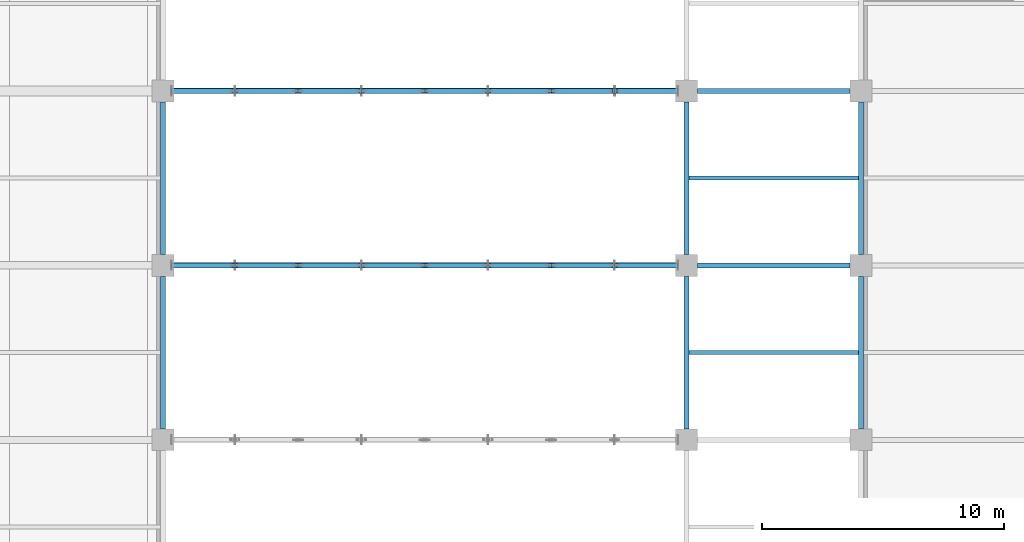
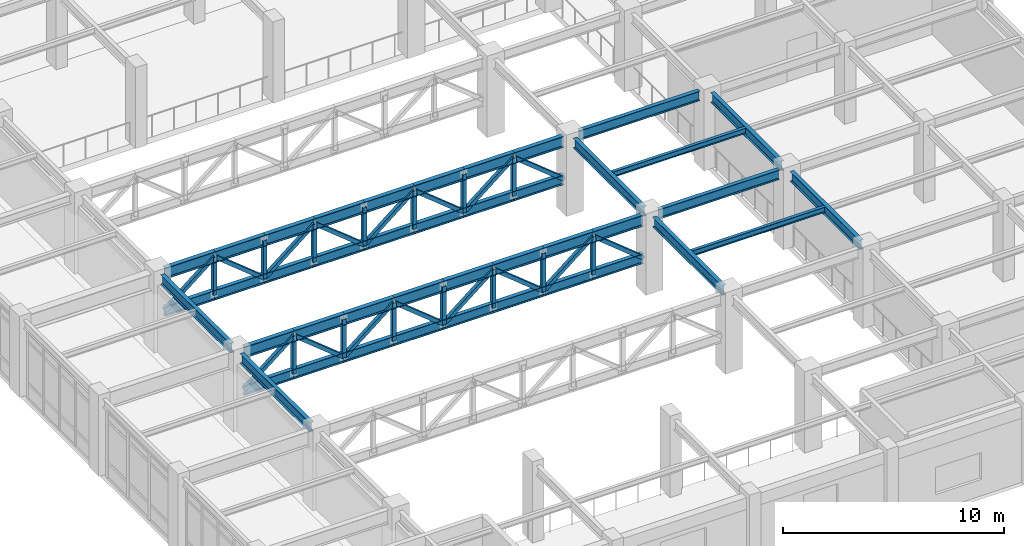
# One storey, part 48 of 106: 62 members, 10 beams.
"""IFC4 building model written with IfcOpenShell, lengths in metres."""

from ifc_helpers import new_model, si_unit, direction, frame, origin, origin_2d, place, context, subcontext, project, spatial, hollow_rectangle, i_section, extrude, material, material_profile, profile_set, type_object, element, save


model = new_model("IFC4")

# Units and contexts
model_context = context("Model", 3, precision=1e-05, world=origin(), true_north=direction((0.0, 1.0)))
body_context = subcontext(model_context, "Body", "Model", "MODEL_VIEW")
ifc_project = project(units=[si_unit("LENGTHUNIT", "METRE"), si_unit("AREAUNIT", "SQUARE_METRE"), si_unit("VOLUMEUNIT", "CUBIC_METRE"), si_unit("PLANEANGLEUNIT", "RADIAN"), si_unit("MASSUNIT", "GRAM", prefix="KILO")], contexts=[model_context])

# Site, building, storey
site_placement = place(None, origin())
site = spatial("IfcSite", under=ifc_project, at=site_placement, CompositionType="ELEMENT")
building_placement = place(site_placement, origin())
building = spatial("IfcBuilding", under=site, at=building_placement, Name="Carrowvane Square Congress Hotel", CompositionType="ELEMENT")
storey_placement = place(building_placement, frame((0.0, 0.0, 10.5)))
storey = spatial("IfcBuildingStorey", under=building, at=storey_placement, Name="L02", CompositionType="ELEMENT", Elevation=10.5)

# Beams
ifc_material_1 = material(Name="Steel S355", Category="steel")
ifc_material_profile_1 = material_profile(ifc_material_1, i_section(OverallWidth=0.165771484375, OverallDepth=0.306640625, WebThickness=0.006591796875, FlangeThickness=0.01171875, FilletRadius=0.0087890625, at=origin_2d()), Name="UKB 305x165x46")
ifc_profile_set_1 = profile_set([ifc_material_profile_1], Name="Steel S355")
beam_type_1 = type_object("IfcBeamType", Name="BM-ST-UKB305", PredefinedType="JOIST", material=ifc_profile_set_1)
for number, where, z_axis, x_axis, name in (
    (1, (162.905029296875, 23.39990234375, 4.066650390625), (1.0, 0.0, 0.0), (0.0, 1.0, 0.0), "L03 secondary joist 22-23"),
    (2, (162.905029296875, 30.60009765625, 4.066650390625), (1.0, 0.0, 0.0), (0.0, 1.0, 0.0), "L03 secondary joist 22-23"),
):
    element("IfcBeam", number, at=place(storey_placement, frame(where, z_axis=z_axis, x_axis=x_axis)), inside=storey, type_object=beam_type_1, Name=name, PredefinedType="JOIST", context=body_context, shape_type="SweptSolid", body=[
        extrude(i_section(OverallWidth=0.165771484375, OverallDepth=0.306640625, WebThickness=0.006591796875, FlangeThickness=0.01171875, FilletRadius=0.0087890625, at=origin_2d()), origin(), (0.0, 0.0, 1.0), 6.989990234375),
    ])
ifc_material_2 = material(Name="Steel S355", Category="steel")
ifc_material_profile_2 = material_profile(ifc_material_2, i_section(OverallWidth=0.2099609375, OverallDepth=0.53662109375, WebThickness=0.0107421875, FlangeThickness=0.017333984375, FilletRadius=0.0126953125, at=origin_2d()), Name="UKB 533x210x101")
ifc_profile_set_2 = profile_set([ifc_material_profile_2], Name="Steel S355")
beam_type_2 = type_object("IfcBeamType", Name="BM-ST-UKB533", PredefinedType="USERDEFINED", material=ifc_profile_set_2)
for number, where, z_axis, x_axis, name in (
    (3, (163.25, 27.0, 3.95166015625), (1.0, 0.0, 0.0), (0.0, 1.0, 0.0), "L03 girder D/22-23"),
    (4, (163.25, 34.199951171875, 3.95166015625), (1.0, 0.0, 0.0), (0.0, 1.0, 0.0), "L03 girder E/22-23"),
    (5, (141.199951171875, 20.25, 3.95166015625), (0.0, 1.0, 0.0), (-1.0, 0.0, 0.0), "L03 girder 19/C-D"),
    (6, (141.199951171875, 27.449951171875, 3.95166015625), (0.0, 1.0, 0.0), (-1.0, 0.0, 0.0), "L03 girder 19/D-E"),
    (7, (162.800048828125, 20.25, 3.95166015625), (0.0, 1.0, 0.0), (-1.0, 0.0, 0.0), "L03 girder 22/C-D"),
    (8, (162.800048828125, 27.449951171875, 3.95166015625), (0.0, 1.0, 0.0), (-1.0, 0.0, 0.0), "L03 girder 22/D-E"),
    (9, (170.0, 20.25, 3.95166015625), (0.0, 1.0, 0.0), (-1.0, 0.0, 0.0), "L03 girder 23/C-D"),
    (10, (170.0, 27.449951171875, 3.95166015625), (0.0, 1.0, 0.0), (-1.0, 0.0, 0.0), "L03 girder 23/D-E"),
):
    element("IfcBeam", number, at=place(storey_placement, frame(where, z_axis=z_axis, x_axis=x_axis)), inside=storey, type_object=beam_type_2, Name=name, ObjectType="GIRDER", PredefinedType="USERDEFINED", context=body_context, shape_type="SweptSolid", body=[
        extrude(i_section(OverallWidth=0.2099609375, OverallDepth=0.53662109375, WebThickness=0.0107421875, FlangeThickness=0.017333984375, FilletRadius=0.0126953125, at=origin_2d()), origin(), (0.0, 0.0, 1.0), 6.300048828125),
    ])

# Members
ifc_material_3 = material(Name="Steel S355", Category="steel")
ifc_material_profile_3 = material_profile(ifc_material_3, hollow_rectangle(XDim=0.199951171875, YDim=0.199951171875, WallThickness=0.012451171875, at=origin_2d()), Name="SHS 200x200x12.5")
ifc_profile_set_3 = profile_set([ifc_material_profile_3], Name="Steel S355")
member_type_1 = type_object("IfcMemberType", Name="MEM-BR-SHS200", PredefinedType="BRACE", material=ifc_profile_set_3)
member_1_placement = place(storey_placement, frame((141.550048828125, 27.0, 1.800048828125), z_axis=(0.777980816374, 0.0, 0.628288030567), x_axis=(0.0, 1.0, 0.0)))
element("IfcMember", 11, at=member_1_placement, inside=storey, type_object=member_type_1, Name="Ballroom truss diagonal 34", PredefinedType="BRACE", context=body_context, shape_type="SweptSolid", body=[
    extrude(hollow_rectangle(XDim=0.199951171875, YDim=0.199951171875, WallThickness=0.012451171875, at=origin_2d()), origin(), (0.0, 0.0, 1.0), 3.358154296875),
])
member_2_placement = place(storey_placement, frame((144.16259765625, 27.0, 3.909912109375), z_axis=(0.777952115247, 0.0, -0.628323568221), x_axis=(0.0, 1.0, 0.0)))
element("IfcMember", 12, at=member_2_placement, inside=storey, type_object=member_type_1, Name="Ballroom truss diagonal 37", PredefinedType="BRACE", context=body_context, shape_type="SweptSolid", body=[
    extrude(hollow_rectangle(XDim=0.199951171875, YDim=0.199951171875, WallThickness=0.012451171875, at=origin_2d()), origin(), (0.0, 0.0, 1.0), 3.35791015625),
])
for number, where, z_axis, x_axis, name in (
    (13, (146.77490234375, 27.0, 1.800048828125), (0.777980816374, 0.0, 0.628288030567), (0.0, 1.0, 0.0), "Ballroom truss diagonal 41"),
    (14, (149.387451171875, 27.0, 3.909912109375), (0.777980816374, 0.0, -0.628288030567), (0.0, 1.0, 0.0), "Ballroom truss diagonal 45"),
    (15, (152.0, 27.0, 1.800048828125), (0.777980816374, 0.0, 0.628288030567), (0.0, 1.0, 0.0), "Ballroom truss diagonal 49"),
    (16, (154.612548828125, 27.0, 3.909912109375), (0.777980816374, 0.0, -0.628288030567), (0.0, 1.0, 0.0), "Ballroom truss diagonal 53"),
):
    element("IfcMember", number, at=place(storey_placement, frame(where, z_axis=z_axis, x_axis=x_axis)), inside=storey, type_object=member_type_1, Name=name, PredefinedType="BRACE", context=body_context, shape_type="SweptSolid", body=[
        extrude(hollow_rectangle(XDim=0.199951171875, YDim=0.199951171875, WallThickness=0.012451171875, at=origin_2d()), origin(), (0.0, 0.0, 1.0), 3.358154296875),
    ])
member_3_placement = place(storey_placement, frame((157.22509765625, 27.0, 1.800048828125), z_axis=(0.777952115247, 0.0, 0.628323568221), x_axis=(0.0, 1.0, 0.0)))
element("IfcMember", 17, at=member_3_placement, inside=storey, type_object=member_type_1, Name="Ballroom truss diagonal 57", PredefinedType="BRACE", context=body_context, shape_type="SweptSolid", body=[
    extrude(hollow_rectangle(XDim=0.199951171875, YDim=0.199951171875, WallThickness=0.012451171875, at=origin_2d()), origin(), (0.0, 0.0, 1.0), 3.35791015625),
])
for number, where, z_axis, x_axis, name in (
    (18, (159.83740234375, 27.0, 3.909912109375), (0.777980816374, 0.0, -0.628288030567), (0.0, 1.0, 0.0), "Ballroom truss diagonal 61"),
    (19, (141.550048828125, 34.199951171875, 1.800048828125), (0.777980816374, 0.0, 0.628288030567), (0.0, 1.0, 0.0), "Ballroom truss diagonal 65"),
):
    element("IfcMember", number, at=place(storey_placement, frame(where, z_axis=z_axis, x_axis=x_axis)), inside=storey, type_object=member_type_1, Name=name, PredefinedType="BRACE", context=body_context, shape_type="SweptSolid", body=[
        extrude(hollow_rectangle(XDim=0.199951171875, YDim=0.199951171875, WallThickness=0.012451171875, at=origin_2d()), origin(), (0.0, 0.0, 1.0), 3.358154296875),
    ])
member_4_placement = place(storey_placement, frame((144.16259765625, 34.199951171875, 3.909912109375), z_axis=(0.777952115247, 0.0, -0.628323568221), x_axis=(0.0, 1.0, 0.0)))
element("IfcMember", 20, at=member_4_placement, inside=storey, type_object=member_type_1, Name="Ballroom truss diagonal 68", PredefinedType="BRACE", context=body_context, shape_type="SweptSolid", body=[
    extrude(hollow_rectangle(XDim=0.199951171875, YDim=0.199951171875, WallThickness=0.012451171875, at=origin_2d()), origin(), (0.0, 0.0, 1.0), 3.35791015625),
])
for number, where, z_axis, x_axis, name in (
    (21, (146.77490234375, 34.199951171875, 1.800048828125), (0.777980816374, 0.0, 0.628288030567), (0.0, 1.0, 0.0), "Ballroom truss diagonal 72"),
    (22, (149.387451171875, 34.199951171875, 3.909912109375), (0.777980816374, 0.0, -0.628288030567), (0.0, 1.0, 0.0), "Ballroom truss diagonal 76"),
    (23, (152.0, 34.199951171875, 1.800048828125), (0.777980816374, 0.0, 0.628288030567), (0.0, 1.0, 0.0), "Ballroom truss diagonal 80"),
    (24, (154.612548828125, 34.199951171875, 3.909912109375), (0.777980816374, 0.0, -0.628288030567), (0.0, 1.0, 0.0), "Ballroom truss diagonal 84"),
):
    element("IfcMember", number, at=place(storey_placement, frame(where, z_axis=z_axis, x_axis=x_axis)), inside=storey, type_object=member_type_1, Name=name, PredefinedType="BRACE", context=body_context, shape_type="SweptSolid", body=[
        extrude(hollow_rectangle(XDim=0.199951171875, YDim=0.199951171875, WallThickness=0.012451171875, at=origin_2d()), origin(), (0.0, 0.0, 1.0), 3.358154296875),
    ])
member_5_placement = place(storey_placement, frame((157.22509765625, 34.199951171875, 1.800048828125), z_axis=(0.777952115247, 0.0, 0.628323568221), x_axis=(0.0, 1.0, 0.0)))
element("IfcMember", 25, at=member_5_placement, inside=storey, type_object=member_type_1, Name="Ballroom truss diagonal 88", PredefinedType="BRACE", context=body_context, shape_type="SweptSolid", body=[
    extrude(hollow_rectangle(XDim=0.199951171875, YDim=0.199951171875, WallThickness=0.012451171875, at=origin_2d()), origin(), (0.0, 0.0, 1.0), 3.35791015625),
])
member_6_placement = place(storey_placement, frame((159.83740234375, 34.199951171875, 3.909912109375), z_axis=(0.777980816374, 0.0, -0.628288030567), x_axis=(0.0, 1.0, 0.0)))
element("IfcMember", 26, at=member_6_placement, inside=storey, type_object=member_type_1, Name="Ballroom truss diagonal 92", PredefinedType="BRACE", context=body_context, shape_type="SweptSolid", body=[
    extrude(hollow_rectangle(XDim=0.199951171875, YDim=0.199951171875, WallThickness=0.012451171875, at=origin_2d()), origin(), (0.0, 0.0, 1.0), 3.358154296875),
])
ifc_material_4 = material(Name="Steel S355", Category="steel")
ifc_material_profile_4 = material_profile(ifc_material_4, hollow_rectangle(XDim=0.199951171875, YDim=0.199951171875, WallThickness=0.012451171875, at=origin_2d()), Name="SHS 200x200x12.5")
ifc_profile_set_4 = profile_set([ifc_material_profile_4], Name="Steel S355")
member_type_2 = type_object("IfcMemberType", Name="MEM-ST-SHS200", PredefinedType="STRUT", material=ifc_profile_set_4)
for number, where, z_axis, x_axis, name in (
    (27, (144.16259765625, 27.0, 1.800048828125), (0.0, 0.0, 1.0), (1.0, 0.0, 0.0), "Ballroom truss vertical 38"),
    (28, (146.77490234375, 27.0, 1.800048828125), (0.0, 0.0, 1.0), (1.0, 0.0, 0.0), "Ballroom truss vertical 42"),
    (29, (149.387451171875, 27.0, 1.800048828125), (0.0, 0.0, 1.0), (1.0, 0.0, 0.0), "Ballroom truss vertical 46"),
    (30, (152.0, 27.0, 1.800048828125), (0.0, 0.0, 1.0), (1.0, 0.0, 0.0), "Ballroom truss vertical 50"),
    (31, (154.612548828125, 27.0, 1.800048828125), (0.0, 0.0, 1.0), (1.0, 0.0, 0.0), "Ballroom truss vertical 54"),
    (32, (157.22509765625, 27.0, 1.800048828125), (0.0, 0.0, 1.0), (1.0, 0.0, 0.0), "Ballroom truss vertical 58"),
    (33, (159.83740234375, 27.0, 1.800048828125), (0.0, 0.0, 1.0), (1.0, 0.0, 0.0), "Ballroom truss vertical 62"),
    (34, (144.16259765625, 34.199951171875, 1.800048828125), (0.0, 0.0, 1.0), (1.0, 0.0, 0.0), "Ballroom truss vertical 69"),
    (35, (146.77490234375, 34.199951171875, 1.800048828125), (0.0, 0.0, 1.0), (1.0, 0.0, 0.0), "Ballroom truss vertical 73"),
    (36, (149.387451171875, 34.199951171875, 1.800048828125), (0.0, 0.0, 1.0), (1.0, 0.0, 0.0), "Ballroom truss vertical 77"),
    (37, (152.0, 34.199951171875, 1.800048828125), (0.0, 0.0, 1.0), (1.0, 0.0, 0.0), "Ballroom truss vertical 81"),
    (38, (154.612548828125, 34.199951171875, 1.800048828125), (0.0, 0.0, 1.0), (1.0, 0.0, 0.0), "Ballroom truss vertical 85"),
    (39, (157.22509765625, 34.199951171875, 1.800048828125), (0.0, 0.0, 1.0), (1.0, 0.0, 0.0), "Ballroom truss vertical 89"),
    (40, (159.83740234375, 34.199951171875, 1.800048828125), (0.0, 0.0, 1.0), (1.0, 0.0, 0.0), "Ballroom truss vertical 93"),
):
    element("IfcMember", number, at=place(storey_placement, frame(where, z_axis=z_axis, x_axis=x_axis)), inside=storey, type_object=member_type_2, Name=name, PredefinedType="STRUT", context=body_context, shape_type="SweptSolid", body=[
        extrude(hollow_rectangle(XDim=0.199951171875, YDim=0.199951171875, WallThickness=0.012451171875, at=origin_2d()), origin(), (0.0, 0.0, 1.0), 2.10986328125),
    ])
ifc_material_5 = material(Name="Steel S355", Category="steel")
ifc_material_profile_5 = material_profile(ifc_material_5, i_section(OverallWidth=0.2099609375, OverallDepth=0.53662109375, WebThickness=0.0107421875, FlangeThickness=0.017333984375, FilletRadius=0.0126953125, at=origin_2d()), Name="UKB 533x210x101")
ifc_profile_set_5 = profile_set([ifc_material_profile_5], Name="Steel S355")
member_type_3 = type_object("IfcMemberType", Name="MEM-TC-UKB533", PredefinedType="CHORD", material=ifc_profile_set_5)
member_7_placement = place(storey_placement, frame((141.550048828125, 27.0, 1.800048828125), z_axis=(1.0, 0.0, 0.0), x_axis=(0.0, 1.0, 0.0)))
element("IfcMember", 41, at=member_7_placement, inside=storey, type_object=member_type_3, Name="Ballroom truss bottom chord 33", PredefinedType="CHORD", context=body_context, shape_type="SweptSolid", body=[
    extrude(i_section(OverallWidth=0.2099609375, OverallDepth=0.53662109375, WebThickness=0.0107421875, FlangeThickness=0.017333984375, FilletRadius=0.0126953125, at=origin_2d()), origin(), (0.0, 0.0, 1.0), 2.612548828125),
])
member_8_placement = place(storey_placement, frame((144.16259765625, 27.0, 1.800048828125), z_axis=(1.0, 0.0, 0.0), x_axis=(0.0, 1.0, 0.0)))
element("IfcMember", 42, at=member_8_placement, inside=storey, type_object=member_type_3, Name="Ballroom truss bottom chord 36", PredefinedType="CHORD", context=body_context, shape_type="SweptSolid", body=[
    extrude(i_section(OverallWidth=0.2099609375, OverallDepth=0.53662109375, WebThickness=0.0107421875, FlangeThickness=0.017333984375, FilletRadius=0.0126953125, at=origin_2d()), origin(), (0.0, 0.0, 1.0), 2.6123046875),
])
for number, where, z_axis, x_axis, name in (
    (43, (146.77490234375, 27.0, 1.800048828125), (1.0, 0.0, 0.0), (0.0, 1.0, 0.0), "Ballroom truss bottom chord 40"),
    (44, (149.387451171875, 27.0, 1.800048828125), (1.0, 0.0, 0.0), (0.0, 1.0, 0.0), "Ballroom truss bottom chord 44"),
    (45, (152.0, 27.0, 1.800048828125), (1.0, 0.0, 0.0), (0.0, 1.0, 0.0), "Ballroom truss bottom chord 48"),
    (46, (154.612548828125, 27.0, 1.800048828125), (1.0, 0.0, 0.0), (0.0, 1.0, 0.0), "Ballroom truss bottom chord 52"),
):
    element("IfcMember", number, at=place(storey_placement, frame(where, z_axis=z_axis, x_axis=x_axis)), inside=storey, type_object=member_type_3, Name=name, PredefinedType="CHORD", context=body_context, shape_type="SweptSolid", body=[
        extrude(i_section(OverallWidth=0.2099609375, OverallDepth=0.53662109375, WebThickness=0.0107421875, FlangeThickness=0.017333984375, FilletRadius=0.0126953125, at=origin_2d()), origin(), (0.0, 0.0, 1.0), 2.612548828125),
    ])
member_9_placement = place(storey_placement, frame((157.22509765625, 27.0, 1.800048828125), z_axis=(1.0, 0.0, 0.0), x_axis=(0.0, 1.0, 0.0)))
element("IfcMember", 47, at=member_9_placement, inside=storey, type_object=member_type_3, Name="Ballroom truss bottom chord 56", PredefinedType="CHORD", context=body_context, shape_type="SweptSolid", body=[
    extrude(i_section(OverallWidth=0.2099609375, OverallDepth=0.53662109375, WebThickness=0.0107421875, FlangeThickness=0.017333984375, FilletRadius=0.0126953125, at=origin_2d()), origin(), (0.0, 0.0, 1.0), 2.6123046875),
])
for number, where, z_axis, x_axis, name in (
    (48, (159.83740234375, 27.0, 1.800048828125), (1.0, 0.0, 0.0), (0.0, 1.0, 0.0), "Ballroom truss bottom chord 60"),
    (49, (141.550048828125, 34.199951171875, 1.800048828125), (1.0, 0.0, 0.0), (0.0, 1.0, 0.0), "Ballroom truss bottom chord 64"),
):
    element("IfcMember", number, at=place(storey_placement, frame(where, z_axis=z_axis, x_axis=x_axis)), inside=storey, type_object=member_type_3, Name=name, PredefinedType="CHORD", context=body_context, shape_type="SweptSolid", body=[
        extrude(i_section(OverallWidth=0.2099609375, OverallDepth=0.53662109375, WebThickness=0.0107421875, FlangeThickness=0.017333984375, FilletRadius=0.0126953125, at=origin_2d()), origin(), (0.0, 0.0, 1.0), 2.612548828125),
    ])
member_10_placement = place(storey_placement, frame((144.16259765625, 34.199951171875, 1.800048828125), z_axis=(1.0, 0.0, 0.0), x_axis=(0.0, 1.0, 0.0)))
element("IfcMember", 50, at=member_10_placement, inside=storey, type_object=member_type_3, Name="Ballroom truss bottom chord 67", PredefinedType="CHORD", context=body_context, shape_type="SweptSolid", body=[
    extrude(i_section(OverallWidth=0.2099609375, OverallDepth=0.53662109375, WebThickness=0.0107421875, FlangeThickness=0.017333984375, FilletRadius=0.0126953125, at=origin_2d()), origin(), (0.0, 0.0, 1.0), 2.6123046875),
])
for number, where, z_axis, x_axis, name in (
    (51, (146.77490234375, 34.199951171875, 1.800048828125), (1.0, 0.0, 0.0), (0.0, 1.0, 0.0), "Ballroom truss bottom chord 71"),
    (52, (149.387451171875, 34.199951171875, 1.800048828125), (1.0, 0.0, 0.0), (0.0, 1.0, 0.0), "Ballroom truss bottom chord 75"),
    (53, (152.0, 34.199951171875, 1.800048828125), (1.0, 0.0, 0.0), (0.0, 1.0, 0.0), "Ballroom truss bottom chord 79"),
    (54, (154.612548828125, 34.199951171875, 1.800048828125), (1.0, 0.0, 0.0), (0.0, 1.0, 0.0), "Ballroom truss bottom chord 83"),
):
    element("IfcMember", number, at=place(storey_placement, frame(where, z_axis=z_axis, x_axis=x_axis)), inside=storey, type_object=member_type_3, Name=name, PredefinedType="CHORD", context=body_context, shape_type="SweptSolid", body=[
        extrude(i_section(OverallWidth=0.2099609375, OverallDepth=0.53662109375, WebThickness=0.0107421875, FlangeThickness=0.017333984375, FilletRadius=0.0126953125, at=origin_2d()), origin(), (0.0, 0.0, 1.0), 2.612548828125),
    ])
member_11_placement = place(storey_placement, frame((157.22509765625, 34.199951171875, 1.800048828125), z_axis=(1.0, 0.0, 0.0), x_axis=(0.0, 1.0, 0.0)))
element("IfcMember", 55, at=member_11_placement, inside=storey, type_object=member_type_3, Name="Ballroom truss bottom chord 87", PredefinedType="CHORD", context=body_context, shape_type="SweptSolid", body=[
    extrude(i_section(OverallWidth=0.2099609375, OverallDepth=0.53662109375, WebThickness=0.0107421875, FlangeThickness=0.017333984375, FilletRadius=0.0126953125, at=origin_2d()), origin(), (0.0, 0.0, 1.0), 2.6123046875),
])
member_12_placement = place(storey_placement, frame((159.83740234375, 34.199951171875, 1.800048828125), z_axis=(1.0, 0.0, 0.0), x_axis=(0.0, 1.0, 0.0)))
element("IfcMember", 56, at=member_12_placement, inside=storey, type_object=member_type_3, Name="Ballroom truss bottom chord 91", PredefinedType="CHORD", context=body_context, shape_type="SweptSolid", body=[
    extrude(i_section(OverallWidth=0.2099609375, OverallDepth=0.53662109375, WebThickness=0.0107421875, FlangeThickness=0.017333984375, FilletRadius=0.0126953125, at=origin_2d()), origin(), (0.0, 0.0, 1.0), 2.612548828125),
])
ifc_material_6 = material(Name="Steel S355", Category="steel")
ifc_material_profile_6 = material_profile(ifc_material_6, i_section(OverallWidth=0.230224609375, OverallDepth=0.6171875, WebThickness=0.01318359375, FlangeThickness=0.022216796875, FilletRadius=0.0126953125, at=origin_2d()), Name="UKB 610x229x140")
ifc_profile_set_6 = profile_set([ifc_material_profile_6], Name="Steel S355")
member_type_4 = type_object("IfcMemberType", Name="MEM-TC-UKB610", PredefinedType="CHORD", material=ifc_profile_set_6)
member_13_placement = place(storey_placement, frame((141.550048828125, 27.0, 3.909912109375), z_axis=(1.0, 0.0, 0.0), x_axis=(0.0, 1.0, 0.0)))
element("IfcMember", 57, at=member_13_placement, inside=storey, type_object=member_type_4, Name="Ballroom truss top chord 32", PredefinedType="CHORD", context=body_context, shape_type="SweptSolid", body=[
    extrude(i_section(OverallWidth=0.230224609375, OverallDepth=0.6171875, WebThickness=0.01318359375, FlangeThickness=0.022216796875, FilletRadius=0.0126953125, at=origin_2d()), origin(), (0.0, 0.0, 1.0), 2.612548828125),
])
member_14_placement = place(storey_placement, frame((144.16259765625, 27.0, 3.909912109375), z_axis=(1.0, 0.0, 0.0), x_axis=(0.0, 1.0, 0.0)))
element("IfcMember", 58, at=member_14_placement, inside=storey, type_object=member_type_4, Name="Ballroom truss top chord 35", PredefinedType="CHORD", context=body_context, shape_type="SweptSolid", body=[
    extrude(i_section(OverallWidth=0.230224609375, OverallDepth=0.6171875, WebThickness=0.01318359375, FlangeThickness=0.022216796875, FilletRadius=0.0126953125, at=origin_2d()), origin(), (0.0, 0.0, 1.0), 2.6123046875),
])
for number, where, z_axis, x_axis, name in (
    (59, (146.77490234375, 27.0, 3.909912109375), (1.0, 0.0, 0.0), (0.0, 1.0, 0.0), "Ballroom truss top chord 39"),
    (60, (149.387451171875, 27.0, 3.909912109375), (1.0, 0.0, 0.0), (0.0, 1.0, 0.0), "Ballroom truss top chord 43"),
    (61, (152.0, 27.0, 3.909912109375), (1.0, 0.0, 0.0), (0.0, 1.0, 0.0), "Ballroom truss top chord 47"),
    (62, (154.612548828125, 27.0, 3.909912109375), (1.0, 0.0, 0.0), (0.0, 1.0, 0.0), "Ballroom truss top chord 51"),
):
    element("IfcMember", number, at=place(storey_placement, frame(where, z_axis=z_axis, x_axis=x_axis)), inside=storey, type_object=member_type_4, Name=name, PredefinedType="CHORD", context=body_context, shape_type="SweptSolid", body=[
        extrude(i_section(OverallWidth=0.230224609375, OverallDepth=0.6171875, WebThickness=0.01318359375, FlangeThickness=0.022216796875, FilletRadius=0.0126953125, at=origin_2d()), origin(), (0.0, 0.0, 1.0), 2.612548828125),
    ])
member_15_placement = place(storey_placement, frame((157.22509765625, 27.0, 3.909912109375), z_axis=(1.0, 0.0, 0.0), x_axis=(0.0, 1.0, 0.0)))
element("IfcMember", 63, at=member_15_placement, inside=storey, type_object=member_type_4, Name="Ballroom truss top chord 55", PredefinedType="CHORD", context=body_context, shape_type="SweptSolid", body=[
    extrude(i_section(OverallWidth=0.230224609375, OverallDepth=0.6171875, WebThickness=0.01318359375, FlangeThickness=0.022216796875, FilletRadius=0.0126953125, at=origin_2d()), origin(), (0.0, 0.0, 1.0), 2.6123046875),
])
for number, where, z_axis, x_axis, name in (
    (64, (159.83740234375, 27.0, 3.909912109375), (1.0, 0.0, 0.0), (0.0, 1.0, 0.0), "Ballroom truss top chord 59"),
    (65, (141.550048828125, 34.199951171875, 3.909912109375), (1.0, 0.0, 0.0), (0.0, 1.0, 0.0), "Ballroom truss top chord 63"),
):
    element("IfcMember", number, at=place(storey_placement, frame(where, z_axis=z_axis, x_axis=x_axis)), inside=storey, type_object=member_type_4, Name=name, PredefinedType="CHORD", context=body_context, shape_type="SweptSolid", body=[
        extrude(i_section(OverallWidth=0.230224609375, OverallDepth=0.6171875, WebThickness=0.01318359375, FlangeThickness=0.022216796875, FilletRadius=0.0126953125, at=origin_2d()), origin(), (0.0, 0.0, 1.0), 2.612548828125),
    ])
member_16_placement = place(storey_placement, frame((144.16259765625, 34.199951171875, 3.909912109375), z_axis=(1.0, 0.0, 0.0), x_axis=(0.0, 1.0, 0.0)))
element("IfcMember", 66, at=member_16_placement, inside=storey, type_object=member_type_4, Name="Ballroom truss top chord 66", PredefinedType="CHORD", context=body_context, shape_type="SweptSolid", body=[
    extrude(i_section(OverallWidth=0.230224609375, OverallDepth=0.6171875, WebThickness=0.01318359375, FlangeThickness=0.022216796875, FilletRadius=0.0126953125, at=origin_2d()), origin(), (0.0, 0.0, 1.0), 2.6123046875),
])
for number, where, z_axis, x_axis, name in (
    (67, (146.77490234375, 34.199951171875, 3.909912109375), (1.0, 0.0, 0.0), (0.0, 1.0, 0.0), "Ballroom truss top chord 70"),
    (68, (149.387451171875, 34.199951171875, 3.909912109375), (1.0, 0.0, 0.0), (0.0, 1.0, 0.0), "Ballroom truss top chord 74"),
    (69, (152.0, 34.199951171875, 3.909912109375), (1.0, 0.0, 0.0), (0.0, 1.0, 0.0), "Ballroom truss top chord 78"),
    (70, (154.612548828125, 34.199951171875, 3.909912109375), (1.0, 0.0, 0.0), (0.0, 1.0, 0.0), "Ballroom truss top chord 82"),
):
    element("IfcMember", number, at=place(storey_placement, frame(where, z_axis=z_axis, x_axis=x_axis)), inside=storey, type_object=member_type_4, Name=name, PredefinedType="CHORD", context=body_context, shape_type="SweptSolid", body=[
        extrude(i_section(OverallWidth=0.230224609375, OverallDepth=0.6171875, WebThickness=0.01318359375, FlangeThickness=0.022216796875, FilletRadius=0.0126953125, at=origin_2d()), origin(), (0.0, 0.0, 1.0), 2.612548828125),
    ])
member_17_placement = place(storey_placement, frame((157.22509765625, 34.199951171875, 3.909912109375), z_axis=(1.0, 0.0, 0.0), x_axis=(0.0, 1.0, 0.0)))
element("IfcMember", 71, at=member_17_placement, inside=storey, type_object=member_type_4, Name="Ballroom truss top chord 86", PredefinedType="CHORD", context=body_context, shape_type="SweptSolid", body=[
    extrude(i_section(OverallWidth=0.230224609375, OverallDepth=0.6171875, WebThickness=0.01318359375, FlangeThickness=0.022216796875, FilletRadius=0.0126953125, at=origin_2d()), origin(), (0.0, 0.0, 1.0), 2.6123046875),
])
member_18_placement = place(storey_placement, frame((159.83740234375, 34.199951171875, 3.909912109375), z_axis=(1.0, 0.0, 0.0), x_axis=(0.0, 1.0, 0.0)))
element("IfcMember", 72, at=member_18_placement, inside=storey, type_object=member_type_4, Name="Ballroom truss top chord 90", PredefinedType="CHORD", context=body_context, shape_type="SweptSolid", body=[
    extrude(i_section(OverallWidth=0.230224609375, OverallDepth=0.6171875, WebThickness=0.01318359375, FlangeThickness=0.022216796875, FilletRadius=0.0126953125, at=origin_2d()), origin(), (0.0, 0.0, 1.0), 2.612548828125),
])

save(model, "model.ifc")
